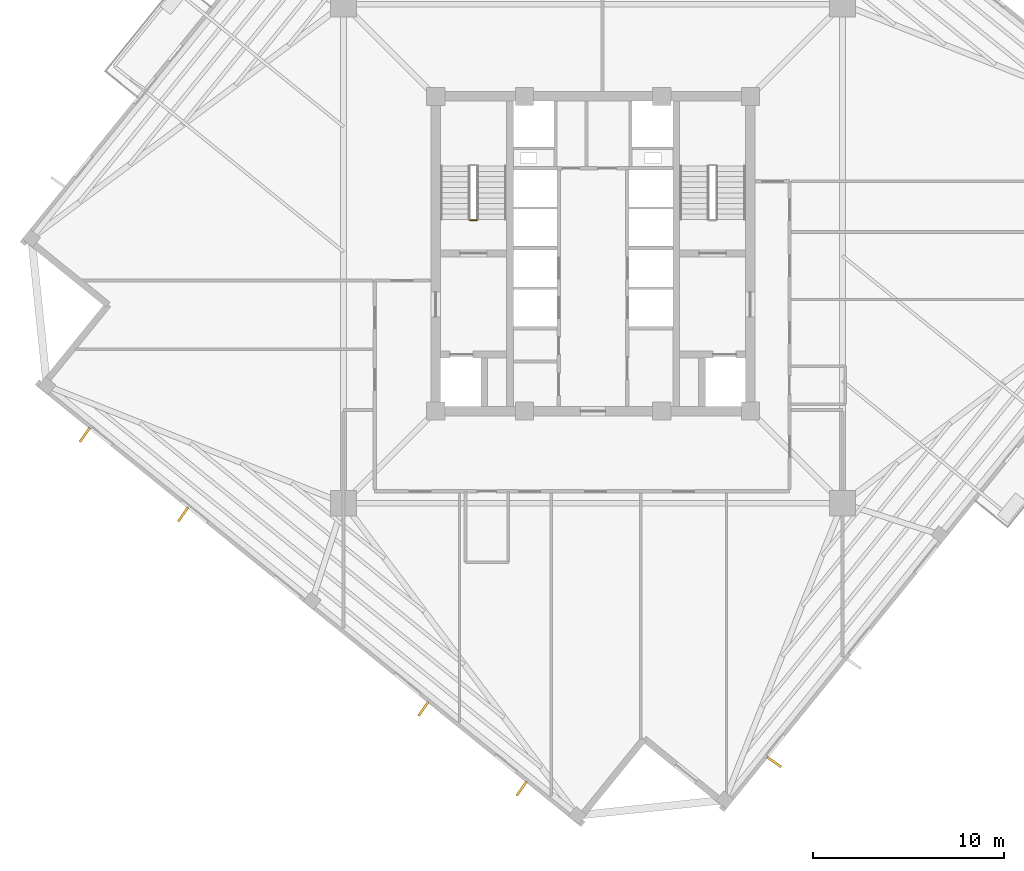
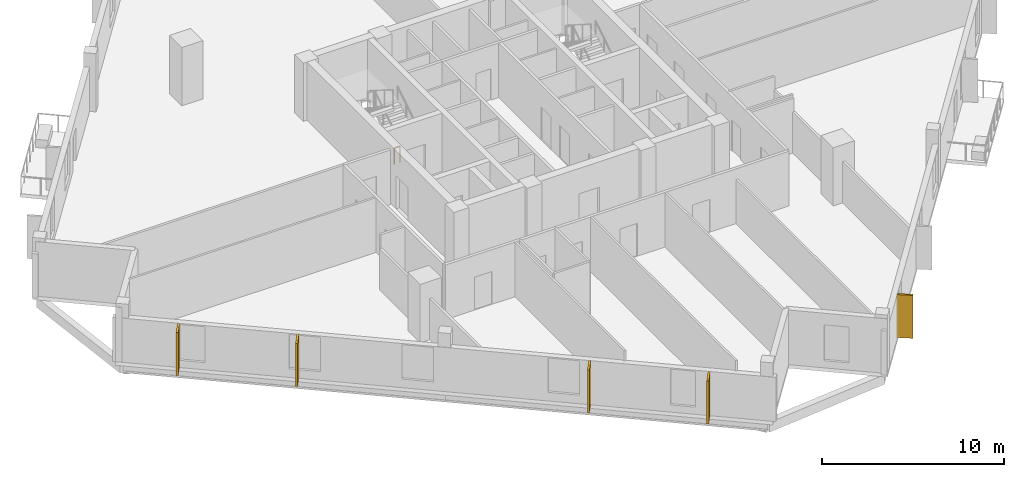
# One storey, part 6 of 9: 5 coverings, 1 railing.
"""IFC4 building model written with IfcOpenShell, lengths in metres."""

from ifc_helpers import new_model, si_unit, direction, frame, origin, origin_2d, place, context, subcontext, project, spatial, rectangle, circle, extrude, source, transform, mapped, material, layer, layer_set, type_object, element, save


model = new_model("IFC4")

# Units and contexts
model_context = context("Model", 3, precision=1e-05, world=origin(), true_north=direction((0.0, 1.0)))
body_context = subcontext(model_context, "Body", "Model", "MODEL_VIEW")
ifc_project = project(units=[si_unit("LENGTHUNIT", "METRE"), si_unit("AREAUNIT", "SQUARE_METRE"), si_unit("VOLUMEUNIT", "CUBIC_METRE"), si_unit("PLANEANGLEUNIT", "RADIAN"), si_unit("MASSUNIT", "GRAM", prefix="KILO"), si_unit("THERMODYNAMICTEMPERATUREUNIT", "KELVIN")], contexts=[model_context])

# Site, building, storey
site_placement = place(None, origin())
site = spatial("IfcSite", under=ifc_project, at=site_placement, CompositionType="ELEMENT")
building_placement = place(site_placement, origin())
building = spatial("IfcBuilding", under=site, at=building_placement, Name="Kosmvard Interchange Tower", CompositionType="ELEMENT")
storey_placement = place(building_placement, frame((0.0, 0.0, 209.5)))
storey = spatial("IfcBuildingStorey", under=building, at=storey_placement, Name="L50", CompositionType="ELEMENT", Elevation=209.5)

# Coverings
ifc_material_1 = material(Name="Architectural anodised aluminium", Category="aluminium")
ifc_layer = layer(ifc_material_1, 0.1201171875, Name="Architectural anodised aluminium")
ifc_layer_set = layer_set([ifc_layer], Name="Architectural anodised aluminium")
covering_type = type_object("IfcCoveringType", Name="Rotating Vertical Sun-Breaker Fin 900x120 Aluminium", PredefinedType="CLADDING", material=ifc_layer_set)
shared_shape_1 = source(origin(), body_context, "Body", "SweptSolid", [
    extrude(rectangle(XDim=0.89990234375, YDim=0.1201171875, at=origin_2d()), origin(), (0.0, 0.0, 1.0), 2.8798828125),
])
for number, where, z_axis, x_axis, name in (
    (1, (9.494384765625, -26.650146484375, 0.0400390625), (0.0, 0.0, 1.0), (0.821945274906, -0.569566471151, 0.0), "L50 Rotating Vertical Sun-Breaker Fin 01"),
    (2, (-26.650146484375, -9.494384765625, 0.0400390625), (0.0, 0.0, 1.0), (-0.569566471151, -0.821945274906, 0.0), "L50 Rotating Vertical Sun-Breaker Fin 13"),
    (3, (-21.49658203125, -13.66748046875, 0.0400390625), (0.0, 0.0, 1.0), (-0.569566471151, -0.821945274906, 0.0), "L50 Rotating Vertical Sun-Breaker Fin 14"),
    (4, (-8.8994140625, -23.86865234375, 0.0400390625), (0.0, 0.0, 1.0), (-0.569566471151, -0.821945274906, 0.0), "L50 Rotating Vertical Sun-Breaker Fin 15"),
    (5, (-3.74609375, -28.041748046875, 0.0400390625), (0.0, 0.0, 1.0), (-0.569566471151, -0.821945274906, 0.0), "L50 Rotating Vertical Sun-Breaker Fin 16"),
):
    element("IfcCovering", number, at=place(storey_placement, frame(where, z_axis=z_axis, x_axis=x_axis)), inside=storey, type_object=covering_type, Name=name, PredefinedType="CLADDING", context=body_context, shape_type="MappedRepresentation", body=[
        mapped(shared_shape_1, transform((0.0, 0.0, 0.0), scale=1.0)),
    ])

# Railing
ifc_material_2 = material(Name="Steel S355", Category="steel")
railing_type = type_object("IfcRailingType", Name="Stair & Terrace Safety Guardrail 1100 Steel", PredefinedType="GUARDRAIL", material=ifc_material_2)
shared_shape_2 = source(origin(), body_context, "Body", "SweptSolid", [
    extrude(circle(Radius=0.02392578125, at=origin_2d()), frame((0.0, 0.0, 1.076171875), z_axis=(-1.0, 0.0, 0.0), x_axis=(0.0, -1.0, 0.0)), (0.0, 0.0, 1.0), 0.35986328125),
    extrude(circle(Radius=0.02099609375, at=origin_2d()), origin(), (0.0, 0.0, 1.0), 1.052001953125),
    extrude(circle(Radius=0.02099609375, at=origin_2d()), frame((-0.35986328125, 0.0, 0.0)), (0.0, 0.0, 1.0), 1.052001953125),
])
railing_placement = place(storey_placement, frame((-6.090087890625, 1.75, 0.0)))
element("IfcRailing", 6, at=railing_placement, inside=storey, type_object=railing_type, Name="L50 ST-1 stair guard 4", PredefinedType="GUARDRAIL", context=body_context, shape_type="MappedRepresentation", body=[
    mapped(shared_shape_2, transform((0.0, 0.0, 0.0), scale=1.0)),
])

save(model, "model.ifc")
